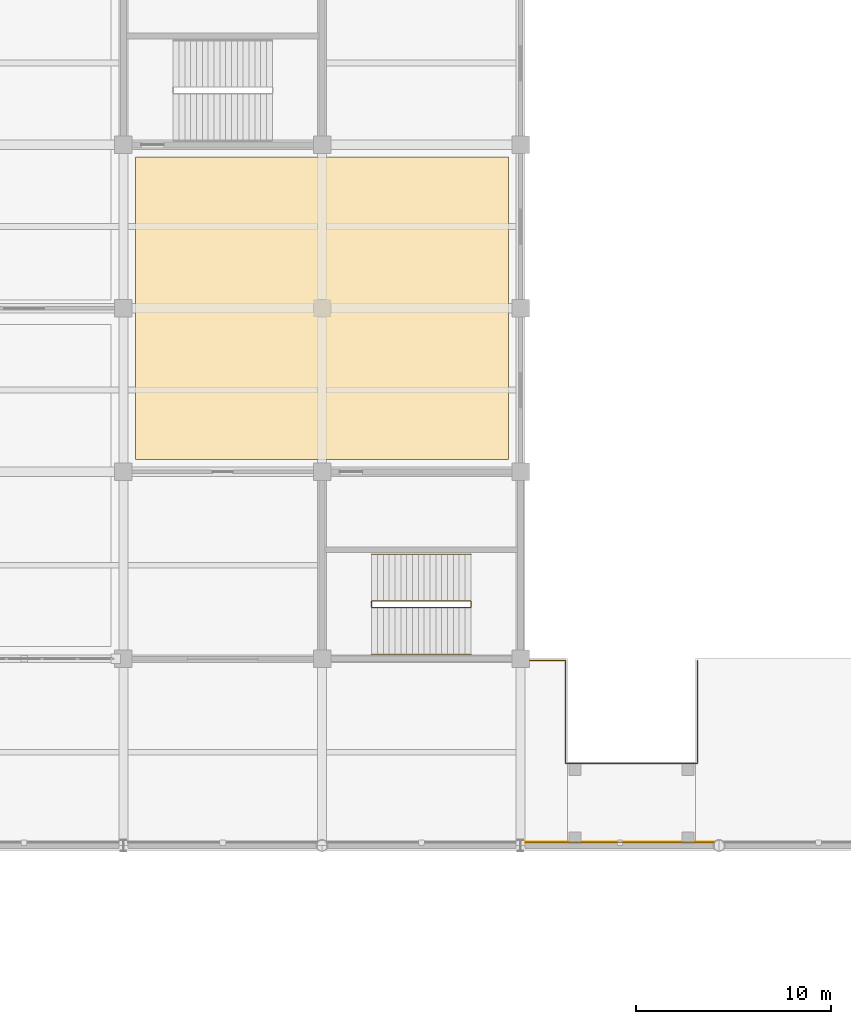
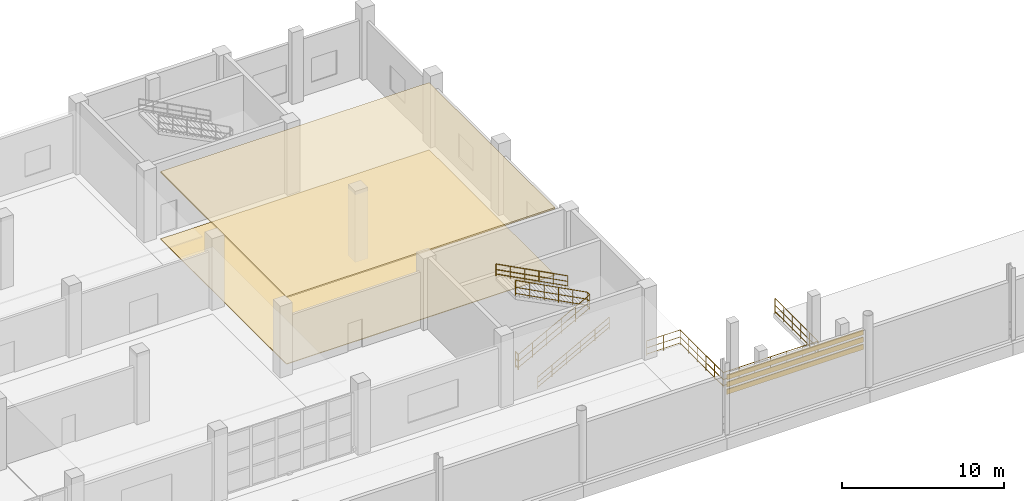
# One storey, part 164 of 175: 5 coverings, 5 railings.
"""IFC4 building model written with IfcOpenShell, lengths in metres."""

from ifc_helpers import new_model, si_unit, direction, frame, origin, origin_2d, place, context, subcontext, project, spatial, polyline, circle, outline, extrude, material, layer, layer_set, type_object, element, save


model = new_model("IFC4")

# Units and contexts
model_context = context("Model", 3, precision=1e-05, world=origin(), true_north=direction((0.0, 1.0)))
body_context = subcontext(model_context, "Body", "Model", "MODEL_VIEW")
ifc_project = project(units=[si_unit("LENGTHUNIT", "METRE"), si_unit("AREAUNIT", "SQUARE_METRE"), si_unit("VOLUMEUNIT", "CUBIC_METRE"), si_unit("PLANEANGLEUNIT", "RADIAN"), si_unit("MASSUNIT", "GRAM", prefix="KILO")], contexts=[model_context])

# Site, building, storey
site_placement = place(None, origin())
site = spatial("IfcSite", under=ifc_project, at=site_placement, CompositionType="ELEMENT")
building_placement = place(site_placement, origin())
building = spatial("IfcBuilding", under=site, at=building_placement, Name="Brelvane Convention Centre", CompositionType="ELEMENT")
storey_placement = place(building_placement, frame((0.0, 0.0, 5.39990234375)))
storey = spatial("IfcBuildingStorey", under=building, at=storey_placement, Name="L01", CompositionType="ELEMENT", Elevation=5.39990234375)

# Coverings
ifc_material_1 = material(Name="Patinated Copper-Bronze Alloy C22000")
ifc_layer_1 = layer(ifc_material_1, 0.044921875)
ifc_layer_set_1 = layer_set([ifc_layer_1], Name="Patinated Copper-Bronze Alloy C22000")
covering_type_1 = type_object("IfcCoveringType", Name="Envelope Covering CL-CU1", PredefinedType="CLADDING", material=ifc_layer_set_1)
covering_1_placement = place(storey_placement, frame((0.0, 0.0, 3.77001953125)))
element("IfcCovering", 1, at=covering_1_placement, inside=storey, type_object=covering_type_1, Name="Copper-Bronze Hull Band L01-V1N-L01-12-1", PredefinedType="CLADDING", context=body_context, shape_type="SweptSolid", body=[
    extrude(outline(polyline([(112.43994140625, 99.740966796875), (122.159912109375, 99.740966796875), (122.159912109375, 99.785888671875), (112.43994140625, 99.785888671875), (112.43994140625, 99.740966796875)])), origin(), (0.0, 0.0, 1.0), 0.380126953125),
])
ifc_material_2 = material(Name="Patinated Copper-Bronze Alloy C22000")
ifc_layer_2 = layer(ifc_material_2, 0.054931640625)
ifc_layer_set_2 = layer_set([ifc_layer_2], Name="Patinated Copper-Bronze Alloy C22000")
covering_type_2 = type_object("IfcCoveringType", Name="Envelope Covering CL-CU2", PredefinedType="CLADDING", material=ifc_layer_set_2)
covering_2_placement = place(storey_placement, frame((0.0, 0.0, 3.22021484375)))
element("IfcCovering", 2, at=covering_2_placement, inside=storey, type_object=covering_type_2, Name="Copper-Bronze Hull Band L01-V1N-L01-12-2", PredefinedType="CLADDING", context=body_context, shape_type="SweptSolid", body=[
    extrude(outline(polyline([(112.43994140625, 99.740966796875), (122.159912109375, 99.740966796875), (122.159912109375, 99.7958984375), (112.43994140625, 99.7958984375), (112.43994140625, 99.740966796875)])), origin(), (0.0, 0.0, 1.0), 0.3798828125),
])
ifc_material_3 = material(Name="Patinated Copper-Bronze Alloy C22000")
ifc_layer_3 = layer(ifc_material_3, 0.06494140625)
ifc_layer_set_3 = layer_set([ifc_layer_3], Name="Patinated Copper-Bronze Alloy C22000")
covering_type_3 = type_object("IfcCoveringType", Name="Envelope Covering CL-CU3", PredefinedType="CLADDING", material=ifc_layer_set_3)
covering_3_placement = place(storey_placement, frame((0.0, 0.0, 2.670166015625)))
element("IfcCovering", 3, at=covering_3_placement, inside=storey, type_object=covering_type_3, Name="Copper-Bronze Hull Band L01-V1N-L01-12-3", PredefinedType="CLADDING", context=body_context, shape_type="SweptSolid", body=[
    extrude(outline(polyline([(112.43994140625, 99.740966796875), (122.159912109375, 99.740966796875), (122.159912109375, 99.805908203125), (112.43994140625, 99.805908203125), (112.43994140625, 99.740966796875)])), origin(), (0.0, 0.0, 1.0), 0.3798828125),
])
ifc_material_4 = material(Name="Perforated Anodised Aluminium Alloy 6063 Acoustic Baffle", Category="aluminium")
ifc_layer_4 = layer(ifc_material_4, 0.110107421875)
ifc_layer_set_4 = layer_set([ifc_layer_4], Name="Perforated Anodised Aluminium Alloy 6063 Acoustic Baffle")
covering_type_4 = type_object("IfcCoveringType", Name="Interior Finish CL-BAF-110", PredefinedType="CEILING", material=ifc_layer_set_4)
covering_4_placement = place(storey_placement, frame((0.0, 0.0, 5.010009765625)))
element("IfcCovering", 4, at=covering_4_placement, inside=storey, type_object=covering_type_4, Name="Meeting Room 206 Acoustic Ceiling (CL-BAF-110)", PredefinedType="CEILING", context=body_context, shape_type="SweptSolid", body=[
    extrude(outline(polyline([(92.429931640625, 119.429931640625), (111.570068359375, 119.429931640625), (111.570068359375, 134.969970703125), (92.429931640625, 134.969970703125), (92.429931640625, 119.429931640625)])), origin(), (0.0, 0.0, 1.0), 0.110107421875),
])
ifc_material_5 = material(Name="Heavy-Duty Quartz-Filled Industrial Epoxy Screed Grade A")
ifc_layer_5 = layer(ifc_material_5, 0.044921875)
ifc_layer_set_5 = layer_set([ifc_layer_5], Name="Heavy-Duty Quartz-Filled Industrial Epoxy Screed Grade A")
covering_type_5 = type_object("IfcCoveringType", Name="Interior Finish FL-EPX-45", PredefinedType="FLOORING", material=ifc_layer_set_5)
covering_5_placement = place(storey_placement, origin())
element("IfcCovering", 5, at=covering_5_placement, inside=storey, type_object=covering_type_5, Name="Meeting Room 206 Floor Finish (FL-EPX-45)", PredefinedType="FLOORING", context=body_context, shape_type="SweptSolid", body=[
    extrude(outline(polyline([(92.429931640625, 119.429931640625), (111.570068359375, 119.429931640625), (111.570068359375, 134.969970703125), (92.429931640625, 134.969970703125), (92.429931640625, 119.429931640625)])), origin(), (0.0, 0.0, 1.0), 0.045166015625),
])

# Railings
ifc_material_6 = material(Name="Steel E350 (350 MPa)", Category="steel")
railing_type_1 = type_object("IfcRailingType", Name="Railing GR-EXT-1", PredefinedType="GUARDRAIL", material=ifc_material_6)
railing_1_placement = place(storey_placement, frame((112.14990234375, 109.1201171875, 0.0)))
element("IfcRailing", 6, at=railing_1_placement, inside=storey, type_object=railing_type_1, Name="Railing GR-EXT-1 L01-court_vr1_pit_L01", PredefinedType="GUARDRAIL", context=body_context, shape_type="SweptSolid", body=[
    extrude(circle(Radius=0.02392578125, at=origin_2d()), frame((0.0, 0.0, 1.1259765625), z_axis=(1.0, 0.0, 0.0), x_axis=(0.0, 1.0, 0.0)), (0.0, 0.0, 1.0), 2.3701171875),
    extrude(circle(Radius=0.02392578125, at=origin_2d()), frame((0.0, 0.0, 0.597900390625), z_axis=(1.0, 0.0, 0.0), x_axis=(0.0, 1.0, 0.0)), (0.0, 0.0, 1.0), 2.3701171875),
    extrude(circle(Radius=0.02392578125, at=origin_2d()), frame((0.0, 0.0, 0.139892578125), z_axis=(1.0, 0.0, 0.0), x_axis=(0.0, 1.0, 0.0)), (0.0, 0.0, 1.0), 2.3701171875),
    extrude(circle(Radius=0.02392578125, at=origin_2d()), frame((2.3701171875, 0.0, 1.1259765625), z_axis=(0.0, -1.0, 0.0), x_axis=(1.0, 0.0, 0.0)), (0.0, 0.0, 1.0), 5.300048828125),
    extrude(circle(Radius=0.02392578125, at=origin_2d()), frame((2.3701171875, 0.0, 0.597900390625), z_axis=(0.0, -1.0, 0.0), x_axis=(1.0, 0.0, 0.0)), (0.0, 0.0, 1.0), 5.300048828125),
    extrude(circle(Radius=0.02392578125, at=origin_2d()), frame((2.3701171875, 0.0, 0.139892578125), z_axis=(0.0, -1.0, 0.0), x_axis=(1.0, 0.0, 0.0)), (0.0, 0.0, 1.0), 5.300048828125),
    extrude(circle(Radius=0.02392578125, at=origin_2d()), frame((2.3701171875, -5.300048828125, 1.1259765625), z_axis=(1.0, 0.0, 0.0), x_axis=(0.0, 1.0, 0.0)), (0.0, 0.0, 1.0), 6.760009765625),
    extrude(circle(Radius=0.02392578125, at=origin_2d()), frame((2.3701171875, -5.300048828125, 0.597900390625), z_axis=(1.0, 0.0, 0.0), x_axis=(0.0, 1.0, 0.0)), (0.0, 0.0, 1.0), 6.760009765625),
    extrude(circle(Radius=0.02392578125, at=origin_2d()), frame((2.3701171875, -5.300048828125, 0.139892578125), z_axis=(1.0, 0.0, 0.0), x_axis=(0.0, 1.0, 0.0)), (0.0, 0.0, 1.0), 6.760009765625),
    extrude(circle(Radius=0.02392578125, at=origin_2d()), frame((9.130126953125, -5.300048828125, 1.1259765625), z_axis=(0.0, 1.0, 0.0), x_axis=(-1.0, 0.0, 0.0)), (0.0, 0.0, 1.0), 5.300048828125),
    extrude(circle(Radius=0.02392578125, at=origin_2d()), frame((9.130126953125, -5.300048828125, 0.597900390625), z_axis=(0.0, 1.0, 0.0), x_axis=(-1.0, 0.0, 0.0)), (0.0, 0.0, 1.0), 5.300048828125),
    extrude(circle(Radius=0.02392578125, at=origin_2d()), frame((9.130126953125, -5.300048828125, 0.139892578125), z_axis=(0.0, 1.0, 0.0), x_axis=(-1.0, 0.0, 0.0)), (0.0, 0.0, 1.0), 5.300048828125),
    extrude(circle(Radius=0.02099609375, at=origin_2d()), origin(), (0.0, 0.0, 1.0), 1.101806640625),
    extrude(circle(Radius=0.02099609375, at=origin_2d()), frame((1.18505859375, 0.0, 0.0)), (0.0, 0.0, 1.0), 1.101806640625),
    extrude(circle(Radius=0.02099609375, at=origin_2d()), frame((2.3701171875, 0.0, 0.0)), (0.0, 0.0, 1.0), 1.101806640625),
    extrude(circle(Radius=0.02099609375, at=origin_2d()), frame((2.3701171875, -1.06005859375, 0.0)), (0.0, 0.0, 1.0), 1.101806640625),
    extrude(circle(Radius=0.02099609375, at=origin_2d()), frame((2.3701171875, -2.1201171875, 0.0)), (0.0, 0.0, 1.0), 1.101806640625),
    extrude(circle(Radius=0.02099609375, at=origin_2d()), frame((2.3701171875, -3.179931640625, 0.0)), (0.0, 0.0, 1.0), 1.101806640625),
    extrude(circle(Radius=0.02099609375, at=origin_2d()), frame((2.3701171875, -4.239990234375, 0.0)), (0.0, 0.0, 1.0), 1.101806640625),
    extrude(circle(Radius=0.02099609375, at=origin_2d()), frame((2.3701171875, -5.300048828125, 0.0)), (0.0, 0.0, 1.0), 1.101806640625),
    extrude(circle(Radius=0.02099609375, at=origin_2d()), frame((3.496826171875, -5.300048828125, 0.0)), (0.0, 0.0, 1.0), 1.101806640625),
    extrude(circle(Radius=0.02099609375, at=origin_2d()), frame((4.62353515625, -5.300048828125, 0.0)), (0.0, 0.0, 1.0), 1.101806640625),
    extrude(circle(Radius=0.02099609375, at=origin_2d()), frame((5.75, -5.300048828125, 0.0)), (0.0, 0.0, 1.0), 1.101806640625),
    extrude(circle(Radius=0.02099609375, at=origin_2d()), frame((6.876708984375, -5.300048828125, 0.0)), (0.0, 0.0, 1.0), 1.101806640625),
    extrude(circle(Radius=0.02099609375, at=origin_2d()), frame((8.00341796875, -5.300048828125, 0.0)), (0.0, 0.0, 1.0), 1.101806640625),
    extrude(circle(Radius=0.02099609375, at=origin_2d()), frame((9.130126953125, -5.300048828125, 0.0)), (0.0, 0.0, 1.0), 1.101806640625),
    extrude(circle(Radius=0.02099609375, at=origin_2d()), frame((9.130126953125, -4.239990234375, 0.0)), (0.0, 0.0, 1.0), 1.101806640625),
    extrude(circle(Radius=0.02099609375, at=origin_2d()), frame((9.130126953125, -3.179931640625, 0.0)), (0.0, 0.0, 1.0), 1.101806640625),
    extrude(circle(Radius=0.02099609375, at=origin_2d()), frame((9.130126953125, -2.1201171875, 0.0)), (0.0, 0.0, 1.0), 1.101806640625),
    extrude(circle(Radius=0.02099609375, at=origin_2d()), frame((9.130126953125, -1.06005859375, 0.0)), (0.0, 0.0, 1.0), 1.101806640625),
    extrude(circle(Radius=0.02099609375, at=origin_2d()), frame((9.130126953125, 0.0, 0.0)), (0.0, 0.0, 1.0), 1.101806640625),
])
ifc_material_7 = material(Name="Steel E350 (350 MPa)", Category="steel")
railing_type_2 = type_object("IfcRailingType", Name="Stair Railing GR-ST-1", PredefinedType="GUARDRAIL", material=ifc_material_7)
railing_2_placement = place(storey_placement, frame((104.550048828125, 111.840087890625, -0.02001953125)))
element("IfcRailing", 7, at=railing_2_placement, inside=storey, type_object=railing_type_2, Name="Stair ST-20 L01 Inner Well Guard", PredefinedType="GUARDRAIL", context=body_context, shape_type="SweptSolid", body=[
    extrude(circle(Radius=0.02392578125, at=origin_2d()), frame((0.0, 0.0, 1.1259765625), z_axis=(0.882331893838, 0.0, 0.470627696929), x_axis=(0.0, 1.0, 0.0)), (0.0, 0.0, 1.0), 5.780029296875),
    extrude(circle(Radius=0.02392578125, at=origin_2d()), frame((0.0, 0.0, 0.597900390625), z_axis=(0.882331893838, 0.0, 0.470627696929), x_axis=(0.0, 1.0, 0.0)), (0.0, 0.0, 1.0), 5.780029296875),
    extrude(circle(Radius=0.02392578125, at=origin_2d()), frame((0.0, 0.0, 0.139892578125), z_axis=(0.882331893838, 0.0, 0.470627696929), x_axis=(0.0, 1.0, 0.0)), (0.0, 0.0, 1.0), 5.780029296875),
    extrude(circle(Radius=0.02392578125, at=origin_2d()), frame((5.099853515625, 0.0, 3.84619140625), z_axis=(0.0, 1.0, 0.0), x_axis=(-1.0, 0.0, 0.0)), (0.0, 0.0, 1.0), 0.31982421875),
    extrude(circle(Radius=0.02392578125, at=origin_2d()), frame((5.099853515625, 0.0, 3.318115234375), z_axis=(0.0, 1.0, 0.0), x_axis=(-1.0, 0.0, 0.0)), (0.0, 0.0, 1.0), 0.31982421875),
    extrude(circle(Radius=0.02392578125, at=origin_2d()), frame((5.099853515625, 0.0, 2.860107421875), z_axis=(0.0, 1.0, 0.0), x_axis=(-1.0, 0.0, 0.0)), (0.0, 0.0, 1.0), 0.31982421875),
    extrude(circle(Radius=0.02392578125, at=origin_2d()), frame((5.099853515625, 0.31982421875, 3.84619140625), z_axis=(-0.885218631674, 0.0, 0.465175207999), x_axis=(0.0, -1.0, 0.0)), (0.0, 0.0, 1.0), 5.76123046875),
    extrude(circle(Radius=0.02392578125, at=origin_2d()), frame((5.099853515625, 0.31982421875, 3.318115234375), z_axis=(-0.885218631674, 0.0, 0.465175207999), x_axis=(0.0, -1.0, 0.0)), (0.0, 0.0, 1.0), 5.76123046875),
    extrude(circle(Radius=0.02392578125, at=origin_2d()), frame((5.099853515625, 0.31982421875, 2.860107421875), z_axis=(-0.885218631674, 0.0, 0.465175207999), x_axis=(0.0, -1.0, 0.0)), (0.0, 0.0, 1.0), 5.76123046875),
    extrude(circle(Radius=0.02099609375, at=origin_2d()), origin(), (0.0, 0.0, 1.0), 1.101806640625),
    extrude(circle(Radius=0.02099609375, at=origin_2d()), frame((1.02001953125, 0.0, 0.5439453125)), (0.0, 0.0, 1.0), 1.101806640625),
    extrude(circle(Radius=0.02099609375, at=origin_2d()), frame((2.0400390625, 0.0, 1.088134765625)), (0.0, 0.0, 1.0), 1.101806640625),
    extrude(circle(Radius=0.02099609375, at=origin_2d()), frame((3.059814453125, 0.0, 1.632080078125)), (0.0, 0.0, 1.0), 1.101806640625),
    extrude(circle(Radius=0.02099609375, at=origin_2d()), frame((4.079833984375, 0.0, 2.17626953125)), (0.0, 0.0, 1.0), 1.101806640625),
    extrude(circle(Radius=0.02099609375, at=origin_2d()), frame((5.099853515625, 0.0, 2.72021484375)), (0.0, 0.0, 1.0), 1.101806640625),
    extrude(circle(Radius=0.02099609375, at=origin_2d()), frame((5.099853515625, 0.31982421875, 2.72021484375)), (0.0, 0.0, 1.0), 1.101806640625),
    extrude(circle(Radius=0.02099609375, at=origin_2d()), frame((4.079833984375, 0.31982421875, 3.256103515625)), (0.0, 0.0, 1.0), 1.101806640625),
    extrude(circle(Radius=0.02099609375, at=origin_2d()), frame((3.059814453125, 0.31982421875, 3.792236328125)), (0.0, 0.0, 1.0), 1.101806640625),
    extrude(circle(Radius=0.02099609375, at=origin_2d()), frame((2.0400390625, 0.31982421875, 4.328125)), (0.0, 0.0, 1.0), 1.101806640625),
    extrude(circle(Radius=0.02099609375, at=origin_2d()), frame((1.02001953125, 0.31982421875, 4.8642578125)), (0.0, 0.0, 1.0), 1.101806640625),
    extrude(circle(Radius=0.02099609375, at=origin_2d()), frame((0.0, 0.31982421875, 5.400146484375)), (0.0, 0.0, 1.0), 1.101806640625),
])
ifc_material_8 = material(Name="Steel E350 (350 MPa)", Category="steel")
railing_type_3 = type_object("IfcRailingType", Name="Stair Railing GR-ST-2", PredefinedType="GUARDRAIL", material=ifc_material_8)
railing_3_placement = place(storey_placement, frame((104.550048828125, 111.840087890625, -0.02001953125)))
element("IfcRailing", 8, at=railing_3_placement, inside=storey, type_object=railing_type_3, Name="Stair ST-20 L01 Landing Well Guard", PredefinedType="GUARDRAIL", context=body_context, shape_type="SweptSolid", body=[
    extrude(circle(Radius=0.02392578125, at=origin_2d()), frame((0.0, 0.0, 1.15576171875), z_axis=(0.0, 1.0, 0.0), x_axis=(-1.0, 0.0, 0.0)), (0.0, 0.0, 1.0), 0.31982421875),
    extrude(circle(Radius=0.02392578125, at=origin_2d()), frame((0.0, 0.0, 0.613525390625), z_axis=(0.0, 1.0, 0.0), x_axis=(-1.0, 0.0, 0.0)), (0.0, 0.0, 1.0), 0.31982421875),
    extrude(circle(Radius=0.02392578125, at=origin_2d()), frame((0.0, 0.0, 0.139892578125), z_axis=(0.0, 1.0, 0.0), x_axis=(-1.0, 0.0, 0.0)), (0.0, 0.0, 1.0), 0.31982421875),
    extrude(circle(Radius=0.02099609375, at=origin_2d()), origin(), (0.0, 0.0, 1.0), 1.1318359375),
    extrude(circle(Radius=0.02099609375, at=origin_2d()), frame((0.0, 0.31982421875, 0.0)), (0.0, 0.0, 1.0), 1.1318359375),
])
ifc_material_9 = material(Name="Steel E350 (350 MPa)", Category="steel")
railing_type_4 = type_object("IfcRailingType", Name="Stair Railing HR-ST-1", PredefinedType="HANDRAIL", material=ifc_material_9)
railing_4_placement = place(storey_placement, frame((104.550048828125, 109.429931640625, -0.02001953125)))
element("IfcRailing", 9, at=railing_4_placement, inside=storey, type_object=railing_type_4, Name="Stair ST-20 L01 Outer Handrail F1", PredefinedType="HANDRAIL", context=body_context, shape_type="SweptSolid", body=[
    extrude(circle(Radius=0.02392578125, at=origin_2d()), frame((0.0, 0.0, 0.89599609375), z_axis=(0.882331893838, 0.0, 0.470627696929), x_axis=(0.0, 1.0, 0.0)), (0.0, 0.0, 1.0), 5.780029296875),
    extrude(circle(Radius=0.02392578125, at=origin_2d()), frame((0.0, 0.0, 0.478271484375), z_axis=(0.882331893838, 0.0, 0.470627696929), x_axis=(0.0, 1.0, 0.0)), (0.0, 0.0, 1.0), 5.780029296875),
    extrude(circle(Radius=0.02392578125, at=origin_2d()), frame((0.0, 0.0, 0.139892578125), z_axis=(0.882331893838, 0.0, 0.470627696929), x_axis=(0.0, 1.0, 0.0)), (0.0, 0.0, 1.0), 5.780029296875),
    extrude(circle(Radius=0.02099609375, at=origin_2d()), origin(), (0.0, 0.0, 1.0), 0.871826171875),
    extrude(circle(Radius=0.02099609375, at=origin_2d()), frame((1.02001953125, 0.0, 0.5439453125)), (0.0, 0.0, 1.0), 0.871826171875),
    extrude(circle(Radius=0.02099609375, at=origin_2d()), frame((2.0400390625, 0.0, 1.088134765625)), (0.0, 0.0, 1.0), 0.871826171875),
    extrude(circle(Radius=0.02099609375, at=origin_2d()), frame((3.059814453125, 0.0, 1.632080078125)), (0.0, 0.0, 1.0), 0.871826171875),
    extrude(circle(Radius=0.02099609375, at=origin_2d()), frame((4.079833984375, 0.0, 2.17626953125)), (0.0, 0.0, 1.0), 0.871826171875),
    extrude(circle(Radius=0.02099609375, at=origin_2d()), frame((5.099853515625, 0.0, 2.72021484375)), (0.0, 0.0, 1.0), 0.871826171875),
])
railing_5_placement = place(storey_placement, frame((109.64990234375, 114.570068359375, 2.7001953125)))
element("IfcRailing", 10, at=railing_5_placement, inside=storey, type_object=railing_type_4, Name="Stair ST-20 L01 Outer Handrail F2", PredefinedType="HANDRAIL", context=body_context, shape_type="SweptSolid", body=[
    extrude(circle(Radius=0.02392578125, at=origin_2d()), frame((0.0, 0.0, 0.89599609375), z_axis=(-0.885218631674, 0.0, 0.465175207999), x_axis=(0.0, -1.0, 0.0)), (0.0, 0.0, 1.0), 5.76123046875),
    extrude(circle(Radius=0.02392578125, at=origin_2d()), frame((0.0, 0.0, 0.478271484375), z_axis=(-0.885218631674, 0.0, 0.465175207999), x_axis=(0.0, -1.0, 0.0)), (0.0, 0.0, 1.0), 5.76123046875),
    extrude(circle(Radius=0.02392578125, at=origin_2d()), frame((0.0, 0.0, 0.139892578125), z_axis=(-0.885218631674, 0.0, 0.465175207999), x_axis=(0.0, -1.0, 0.0)), (0.0, 0.0, 1.0), 5.76123046875),
    extrude(circle(Radius=0.02099609375, at=origin_2d()), origin(), (0.0, 0.0, 1.0), 0.871826171875),
    extrude(circle(Radius=0.02099609375, at=origin_2d()), frame((-1.02001953125, 0.0, 0.535888671875)), (0.0, 0.0, 1.0), 0.871826171875),
    extrude(circle(Radius=0.02099609375, at=origin_2d()), frame((-2.0400390625, 0.0, 1.072021484375)), (0.0, 0.0, 1.0), 0.871826171875),
    extrude(circle(Radius=0.02099609375, at=origin_2d()), frame((-3.059814453125, 0.0, 1.60791015625)), (0.0, 0.0, 1.0), 0.871826171875),
    extrude(circle(Radius=0.02099609375, at=origin_2d()), frame((-4.079833984375, 0.0, 2.14404296875)), (0.0, 0.0, 1.0), 0.871826171875),
    extrude(circle(Radius=0.02099609375, at=origin_2d()), frame((-5.099853515625, 0.0, 2.679931640625)), (0.0, 0.0, 1.0), 0.871826171875),
])

save(model, "model.ifc")
